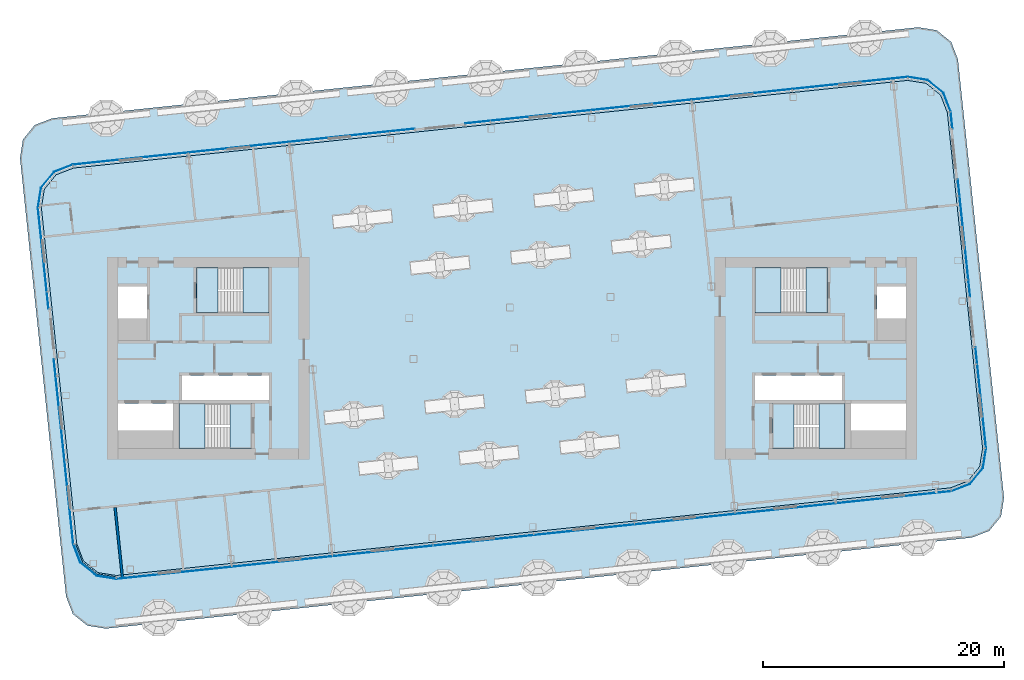
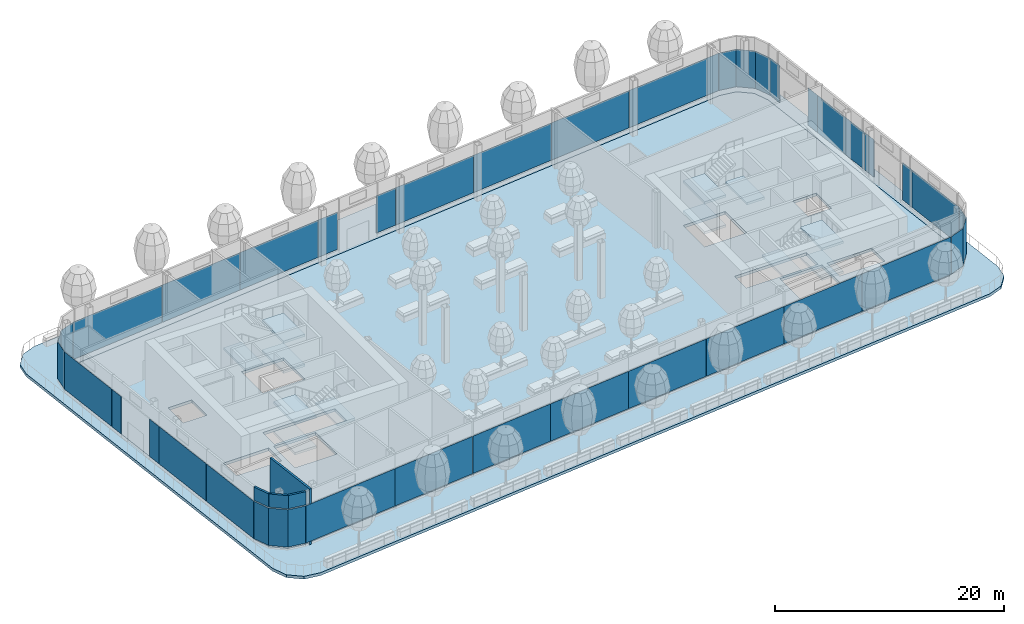
# One storey, part 10 of 42: 32 plates, 14 slabs, 4 walls, 12 elements without a shape of their own.
"""IFC4 building model written with IfcOpenShell, lengths in metres."""

from ifc_helpers import new_model, si_unit, direction, frame, frame_2d, origin, origin_2d, place, context, subcontext, project, spatial, polyline, rectangle, outline, extrude, material, layer, layer_set, type_object, element, aggregate, save


model = new_model("IFC4")

# Units and contexts
model_context = context("Model", 3, precision=1e-05, world=origin(), true_north=direction((0.0, 1.0)))
body_context = subcontext(model_context, "Body", "Model", "MODEL_VIEW")
ifc_project = project(units=[si_unit("LENGTHUNIT", "METRE"), si_unit("AREAUNIT", "SQUARE_METRE"), si_unit("VOLUMEUNIT", "CUBIC_METRE"), si_unit("PLANEANGLEUNIT", "RADIAN"), si_unit("MASSUNIT", "GRAM", prefix="KILO")], contexts=[model_context])

# Site, building, storey
site_placement = place(None, origin())
site = spatial("IfcSite", under=ifc_project, at=site_placement, CompositionType="ELEMENT")
building_placement = place(site_placement, origin())
building = spatial("IfcBuilding", under=site, at=building_placement, Name="Hakoniwa Tower and Hamabe Station Hall", CompositionType="ELEMENT")
storey_placement = place(building_placement, frame((0.0, 0.0, 232.60009765625)))
storey = spatial("IfcBuildingStorey", under=building, at=storey_placement, Name="L66", CompositionType="ELEMENT", Elevation=232.60009765625)

# Stair, slabs
ifc_material_1 = material(Name="Concrete C40", Category="concrete")
stair_type = type_object("IfcStairType", Name="ESCAPE STAIR 1800", PredefinedType="HALF_TURN_STAIR", material=ifc_material_1)
stair_1_placement = place(storey_placement, origin())
stair_1 = element("IfcStair", 1, at=stair_1_placement, inside=storey, type_object=stair_type, Name="Escape stair ST-1 L66", PredefinedType="HALF_TURN_STAIR")
ifc_material_2 = material(Name="Concrete C40", Category="concrete")
ifc_layer_1 = layer(ifc_material_2, 0.25)
ifc_layer_set_1 = layer_set([ifc_layer_1], Name="CORE STAIR LANDING 250")
slab_type_1 = type_object("IfcSlabType", Name="CORE STAIR LANDING 250", PredefinedType="LANDING", material=ifc_layer_set_1)
slab_1_placement = place(storey_placement, frame((0.0, 0.0, 1.349853515625)))
slab_1 = element("IfcSlab", 2, at=slab_1_placement, type_object=slab_type_1, Name="ST-1 landing 1", PredefinedType="LANDING", context=body_context, shape_type="SweptSolid", body=[
    extrude(outline(polyline([(-22.320068359375, 3.75), (-20.14990234375, 3.75), (-20.14990234375, 7.5), (-22.320068359375, 7.5), (-22.320068359375, 3.75)])), origin(), (0.0, 0.0, 1.0), 0.25),
])
slab_2_placement = place(storey_placement, frame((0.0, 0.0, 2.949951171875)))
slab_2 = element("IfcSlab", 3, at=slab_2_placement, type_object=slab_type_1, Name="ST-1 landing 2", PredefinedType="LANDING", context=body_context, shape_type="SweptSolid", body=[
    extrude(outline(polyline([(-26.199951171875, 3.75), (-24.39990234375, 3.75), (-24.39990234375, 7.5), (-26.199951171875, 7.5), (-26.199951171875, 3.75)])), origin(), (0.0, 0.0, 1.0), 0.25),
])
slab_3_placement = place(storey_placement, frame((0.0, 0.0, 4.5498046875)))
slab_3 = element("IfcSlab", 4, at=slab_3_placement, type_object=slab_type_1, Name="ST-1 landing 3", PredefinedType="LANDING", context=body_context, shape_type="SweptSolid", body=[
    extrude(outline(polyline([(-22.320068359375, 3.75), (-20.14990234375, 3.75), (-20.14990234375, 7.5), (-22.320068359375, 7.5), (-22.320068359375, 3.75)])), origin(), (0.0, 0.0, 1.0), 0.25),
])
aggregate(stair_1, [slab_1, slab_2, slab_3])

stair_2_placement = place(storey_placement, origin())
stair_2 = element("IfcStair", 5, at=stair_2_placement, inside=storey, type_object=stair_type, Name="Escape stair ST-2 L66", PredefinedType="HALF_TURN_STAIR")
slab_4_placement = place(storey_placement, frame((0.0, 0.0, 1.349853515625)))
slab_4 = element("IfcSlab", 6, at=slab_4_placement, type_object=slab_type_1, Name="ST-2 landing 1", PredefinedType="LANDING", context=body_context, shape_type="SweptSolid", body=[
    extrude(outline(polyline([(-25.47998046875, -7.5), (-27.64990234375, -7.5), (-27.64990234375, -3.75), (-25.47998046875, -3.75), (-25.47998046875, -7.5)])), origin(), (0.0, 0.0, 1.0), 0.25),
])
slab_5_placement = place(storey_placement, frame((0.0, 0.0, 2.949951171875)))
slab_5 = element("IfcSlab", 7, at=slab_5_placement, type_object=slab_type_1, Name="ST-2 landing 2", PredefinedType="LANDING", context=body_context, shape_type="SweptSolid", body=[
    extrude(outline(polyline([(-21.60009765625, -7.5), (-23.39990234375, -7.5), (-23.39990234375, -3.75), (-21.60009765625, -3.75), (-21.60009765625, -7.5)])), origin(), (0.0, 0.0, 1.0), 0.25),
])
slab_6_placement = place(storey_placement, frame((0.0, 0.0, 4.5498046875)))
slab_6 = element("IfcSlab", 8, at=slab_6_placement, type_object=slab_type_1, Name="ST-2 landing 3", PredefinedType="LANDING", context=body_context, shape_type="SweptSolid", body=[
    extrude(outline(polyline([(-25.47998046875, -7.5), (-27.64990234375, -7.5), (-27.64990234375, -3.75), (-25.47998046875, -3.75), (-25.47998046875, -7.5)])), origin(), (0.0, 0.0, 1.0), 0.25),
])
aggregate(stair_2, [slab_4, slab_5, slab_6])

stair_3_placement = place(storey_placement, origin())
stair_3 = element("IfcStair", 9, at=stair_3_placement, inside=storey, type_object=stair_type, Name="Escape stair ST-3 L66", PredefinedType="HALF_TURN_STAIR")
slab_7_placement = place(storey_placement, frame((0.0, 0.0, 1.349853515625)))
slab_7 = element("IfcSlab", 10, at=slab_7_placement, type_object=slab_type_1, Name="ST-3 landing 1", PredefinedType="LANDING", context=body_context, shape_type="SweptSolid", body=[
    extrude(outline(polyline([(22.320068359375, 3.75), (20.14990234375, 3.75), (20.14990234375, 7.5), (22.320068359375, 7.5), (22.320068359375, 3.75)])), origin(), (0.0, 0.0, 1.0), 0.25),
])
slab_8_placement = place(storey_placement, frame((0.0, 0.0, 2.949951171875)))
slab_8 = element("IfcSlab", 11, at=slab_8_placement, type_object=slab_type_1, Name="ST-3 landing 2", PredefinedType="LANDING", context=body_context, shape_type="SweptSolid", body=[
    extrude(outline(polyline([(26.199951171875, 3.75), (24.39990234375, 3.75), (24.39990234375, 7.5), (26.199951171875, 7.5), (26.199951171875, 3.75)])), origin(), (0.0, 0.0, 1.0), 0.25),
])
slab_9_placement = place(storey_placement, frame((0.0, 0.0, 4.5498046875)))
slab_9 = element("IfcSlab", 12, at=slab_9_placement, type_object=slab_type_1, Name="ST-3 landing 3", PredefinedType="LANDING", context=body_context, shape_type="SweptSolid", body=[
    extrude(outline(polyline([(22.320068359375, 3.75), (20.14990234375, 3.75), (20.14990234375, 7.5), (22.320068359375, 7.5), (22.320068359375, 3.75)])), origin(), (0.0, 0.0, 1.0), 0.25),
])
aggregate(stair_3, [slab_7, slab_8, slab_9])

stair_4_placement = place(storey_placement, origin())
stair_4 = element("IfcStair", 13, at=stair_4_placement, inside=storey, type_object=stair_type, Name="Escape stair ST-4 L66", PredefinedType="HALF_TURN_STAIR")
slab_10_placement = place(storey_placement, frame((0.0, 0.0, 1.349853515625)))
slab_10 = element("IfcSlab", 14, at=slab_10_placement, type_object=slab_type_1, Name="ST-4 landing 1", PredefinedType="LANDING", context=body_context, shape_type="SweptSolid", body=[
    extrude(outline(polyline([(25.47998046875, -7.5), (27.64990234375, -7.5), (27.64990234375, -3.75), (25.47998046875, -3.75), (25.47998046875, -7.5)])), origin(), (0.0, 0.0, 1.0), 0.25),
])
slab_11_placement = place(storey_placement, frame((0.0, 0.0, 2.949951171875)))
slab_11 = element("IfcSlab", 15, at=slab_11_placement, type_object=slab_type_1, Name="ST-4 landing 2", PredefinedType="LANDING", context=body_context, shape_type="SweptSolid", body=[
    extrude(outline(polyline([(21.60009765625, -7.5), (23.39990234375, -7.5), (23.39990234375, -3.75), (21.60009765625, -3.75), (21.60009765625, -7.5)])), origin(), (0.0, 0.0, 1.0), 0.25),
])
slab_12_placement = place(storey_placement, frame((0.0, 0.0, 4.5498046875)))
slab_12 = element("IfcSlab", 16, at=slab_12_placement, type_object=slab_type_1, Name="ST-4 landing 3", PredefinedType="LANDING", context=body_context, shape_type="SweptSolid", body=[
    extrude(outline(polyline([(25.47998046875, -7.5), (27.64990234375, -7.5), (27.64990234375, -3.75), (25.47998046875, -3.75), (25.47998046875, -7.5)])), origin(), (0.0, 0.0, 1.0), 0.25),
])
aggregate(stair_4, [slab_10, slab_11, slab_12])

# Curtain wall, plates
ifc_material_3 = material(Name="Dark low-e laminated glass", Category="glass")
ifc_layer_2 = layer(ifc_material_3, 0.199951171875)
ifc_layer_set_2 = layer_set([ifc_layer_2], Name="CW-2 SKY GARDEN")
curtain_wall_type = type_object("IfcCurtainWallType", Name="CW-2 SKY GARDEN", PredefinedType="NOTDEFINED", material=ifc_layer_set_2)
curtain_wall_1_placement = place(storey_placement, origin())
curtain_wall_1 = element("IfcCurtainWall", 17, at=curtain_wall_1_placement, inside=storey, type_object=curtain_wall_type, Name="CW-2 curtain wall", PredefinedType="NOTDEFINED")
ifc_material_4 = material(Name="Dark low-e laminated glass", Category="glass")
ifc_layer_3 = layer(ifc_material_4, 0.031982421875)
ifc_layer_set_3 = layer_set([ifc_layer_3], Name="CW-2 GARDEN GLASS UNIT")
plate_type = type_object("IfcPlateType", Name="CW-2 GARDEN GLASS UNIT", PredefinedType="CURTAIN_PANEL", material=ifc_layer_set_3)
plate_1_placement = place(storey_placement, frame((38.97802734375, -3.990966796875, 0.349853515625), z_axis=(0.0, 0.0, 1.0), x_axis=(-0.104528468631, 0.994521894805, 0.0)))
plate_1 = element("IfcPlate", 18, at=plate_1_placement, type_object=plate_type, Name="CW-2 glass unit", PredefinedType="CURTAIN_PANEL", context=body_context, shape_type="SweptSolid", body=[
    extrude(rectangle(XDim=6.999755859375, YDim=0.031982421875, at=origin_2d()), origin(), (0.0, 0.0, 1.0), 3.97998046875),
])
plate_2_placement = place(storey_placement, frame((38.537353515625, 0.200927734375, 0.349853515625), z_axis=(0.0, 0.0, 1.0), x_axis=(-0.104528468631, 0.994521894805, 0.0)))
plate_2 = element("IfcPlate", 19, at=plate_2_placement, type_object=plate_type, Name="CW-2 glass unit", PredefinedType="CURTAIN_PANEL", context=body_context, shape_type="SweptSolid", body=[
    extrude(rectangle(XDim=1.389892578125, YDim=0.031982421875, at=origin_2d()), origin(), (0.0, 0.0, 1.0), 3.97998046875),
])
plate_3_placement = place(storey_placement, frame((37.950927734375, 5.780029296875, 0.349853515625), z_axis=(0.0, 0.0, 1.0), x_axis=(-0.104528468631, 0.994521894805, 0.0)))
plate_3 = element("IfcPlate", 20, at=plate_3_placement, type_object=plate_type, Name="CW-2 glass unit", PredefinedType="CURTAIN_PANEL", context=body_context, shape_type="SweptSolid", body=[
    extrude(rectangle(XDim=1.389892578125, YDim=0.031982421875, at=origin_2d()), origin(), (0.0, 0.0, 1.0), 3.97998046875),
])
plate_4_placement = place(storey_placement, frame((37.510498046875, 9.9716796875, 0.349853515625), z_axis=(0.0, 0.0, 1.0), x_axis=(-0.104528468631, 0.994521894805, 0.0)))
plate_4 = element("IfcPlate", 21, at=plate_4_placement, type_object=plate_type, Name="CW-2 glass unit", PredefinedType="CURTAIN_PANEL", context=body_context, shape_type="SweptSolid", body=[
    extrude(rectangle(XDim=6.999755859375, YDim=0.031982421875, at=origin_2d()), origin(), (0.0, 0.0, 1.0), 3.97998046875),
])
plate_5_placement = place(storey_placement, frame((37.06982421875, 14.163330078125, 0.349853515625), z_axis=(0.0, 0.0, 1.0), x_axis=(-0.104528468631, 0.994521894805, 0.0)))
plate_5 = element("IfcPlate", 22, at=plate_5_placement, type_object=plate_type, Name="CW-2 glass unit", PredefinedType="CURTAIN_PANEL", context=body_context, shape_type="SweptSolid", body=[
    extrude(rectangle(XDim=1.389892578125, YDim=0.031982421875, at=origin_2d()), origin(), (0.0, 0.0, 1.0), 3.97998046875),
])
plate_6_placement = place(storey_placement, frame((36.4833984375, 19.74267578125, 0.349853515625), z_axis=(0.0, 0.0, 1.0), x_axis=(-0.104528468631, 0.994521894805, 0.0)))
plate_6 = element("IfcPlate", 23, at=plate_6_placement, type_object=plate_type, Name="CW-2 glass unit", PredefinedType="CURTAIN_PANEL", context=body_context, shape_type="SweptSolid", body=[
    extrude(rectangle(XDim=1.389892578125, YDim=0.031982421875, at=origin_2d()), origin(), (0.0, 0.0, 1.0), 3.97998046875),
])
aggregate(curtain_wall_1, [plate_1, plate_2, plate_3, plate_4, plate_5, plate_6])

# Curtain wall, plate
curtain_wall_2_placement = place(storey_placement, origin())
curtain_wall_2 = element("IfcCurtainWall", 24, at=curtain_wall_2_placement, inside=storey, type_object=curtain_wall_type, Name="CW-2 curtain wall", PredefinedType="NOTDEFINED")
plate_7_placement = place(storey_placement, frame((0.0, 0.0, 0.349853515625)))
plate_7 = element("IfcPlate", 25, at=plate_7_placement, type_object=plate_type, Name="CW-2 curved corner unit", PredefinedType="CURTAIN_PANEL", context=body_context, shape_type="SweptSolid", body=[
    extrude(outline(polyline([(36.409423828125, 20.482421875), (35.82421875, 22.0068359375), (34.492431640625, 23.085205078125), (32.8798828125, 23.340576171875), (32.87548828125, 23.31298828125), (34.480712890625, 23.058837890625), (35.80078125, 21.98974609375), (36.38330078125, 20.472412109375), (36.409423828125, 20.482421875)])), origin(), (0.0, 0.0, 1.0), 3.97998046875),
])
aggregate(curtain_wall_2, [plate_7])

# Curtain wall, plates
curtain_wall_3_placement = place(storey_placement, origin())
curtain_wall_3 = element("IfcCurtainWall", 26, at=curtain_wall_3_placement, inside=storey, type_object=curtain_wall_type, Name="CW-2 curtain wall", PredefinedType="NOTDEFINED")
plate_8_placement = place(storey_placement, frame((28.04833984375, 22.829345703125, 0.349853515625), z_axis=(0.0, 0.0, 1.0), x_axis=(-0.994521895272, -0.104528464188, 0.0)))
plate_8 = element("IfcPlate", 27, at=plate_8_placement, type_object=plate_type, Name="CW-2 glass unit", PredefinedType="CURTAIN_PANEL", context=body_context, shape_type="SweptSolid", body=[
    extrude(rectangle(XDim=9.619384765625, YDim=0.031982421875, at=origin_2d()), origin(), (0.0, 0.0, 1.0), 3.97998046875),
])
plate_9_placement = place(storey_placement, frame((19.078125, 21.886474609375, 0.349853515625), z_axis=(0.0, 0.0, 1.0), x_axis=(-0.994521895272, -0.104528464188, 0.0)))
plate_9 = element("IfcPlate", 28, at=plate_9_placement, type_object=plate_type, Name="CW-2 glass unit", PredefinedType="CURTAIN_PANEL", context=body_context, shape_type="SweptSolid", body=[
    extrude(rectangle(XDim=8.3798828125, YDim=0.031982421875, at=origin_2d()), origin(), (0.0, 0.0, 1.0), 3.97998046875),
])
plate_10_placement = place(storey_placement, frame((10.72412109375, 21.00830078125, 0.349853515625), z_axis=(0.0, 0.0, 1.0), x_axis=(-0.994521895272, -0.104528464188, 0.0)))
plate_10 = element("IfcPlate", 29, at=plate_10_placement, type_object=plate_type, Name="CW-2 glass unit", PredefinedType="CURTAIN_PANEL", context=body_context, shape_type="SweptSolid", body=[
    extrude(rectangle(XDim=8.3798828125, YDim=0.031982421875, at=origin_2d()), origin(), (0.0, 0.0, 1.0), 3.97998046875),
])
plate_11_placement = place(storey_placement, frame((2.3701171875, 20.13037109375, 0.349853515625), z_axis=(0.0, 0.0, 1.0), x_axis=(-0.994521895272, -0.104528464188, 0.0)))
plate_11 = element("IfcPlate", 30, at=plate_11_placement, type_object=plate_type, Name="CW-2 glass unit", PredefinedType="CURTAIN_PANEL", context=body_context, shape_type="SweptSolid", body=[
    extrude(rectangle(XDim=8.3798828125, YDim=0.031982421875, at=origin_2d()), origin(), (0.0, 0.0, 1.0), 3.97998046875),
])
plate_12_placement = place(storey_placement, frame((-2.85107421875, 19.58154296875, 0.349853515625), z_axis=(0.0, 0.0, 1.0), x_axis=(-0.994521895272, -0.104528464188, 0.0)))
plate_12 = element("IfcPlate", 31, at=plate_12_placement, type_object=plate_type, Name="CW-2 glass unit", PredefinedType="CURTAIN_PANEL", context=body_context, shape_type="SweptSolid", body=[
    extrude(rectangle(XDim=2.080078125, YDim=0.031982421875, at=origin_2d()), origin(), (0.0, 0.0, 1.0), 3.97998046875),
])
plate_13_placement = place(storey_placement, frame((-9.11669921875, 18.923095703125, 0.349853515625), z_axis=(0.0, 0.0, 1.0), x_axis=(-0.994521895272, -0.104528464188, 0.0)))
plate_13 = element("IfcPlate", 32, at=plate_13_placement, type_object=plate_type, Name="CW-2 glass unit", PredefinedType="CURTAIN_PANEL", context=body_context, shape_type="SweptSolid", body=[
    extrude(rectangle(XDim=2.080078125, YDim=0.031982421875, at=origin_2d()), origin(), (0.0, 0.0, 1.0), 3.97998046875),
])
plate_14_placement = place(storey_placement, frame((-14.337890625, 18.374267578125, 0.349853515625), z_axis=(0.0, 0.0, 1.0), x_axis=(-0.994521895272, -0.104528464188, 0.0)))
plate_14 = element("IfcPlate", 33, at=plate_14_placement, type_object=plate_type, Name="CW-2 glass unit", PredefinedType="CURTAIN_PANEL", context=body_context, shape_type="SweptSolid", body=[
    extrude(rectangle(XDim=8.3798828125, YDim=0.031982421875, at=origin_2d()), origin(), (0.0, 0.0, 1.0), 3.97998046875),
])
plate_15_placement = place(storey_placement, frame((-22.69189453125, 17.49609375, 0.349853515625), z_axis=(0.0, 0.0, 1.0), x_axis=(-0.994521895272, -0.104528464188, 0.0)))
plate_15 = element("IfcPlate", 34, at=plate_15_placement, type_object=plate_type, Name="CW-2 glass unit", PredefinedType="CURTAIN_PANEL", context=body_context, shape_type="SweptSolid", body=[
    extrude(rectangle(XDim=8.3798828125, YDim=0.031982421875, at=origin_2d()), origin(), (0.0, 0.0, 1.0), 3.97998046875),
])
plate_16_placement = place(storey_placement, frame((-31.662109375, 16.553466796875, 0.349853515625), z_axis=(0.0, 0.0, 1.0), x_axis=(-0.994521895272, -0.104528464188, 0.0)))
plate_16 = element("IfcPlate", 35, at=plate_16_placement, type_object=plate_type, Name="CW-2 glass unit", PredefinedType="CURTAIN_PANEL", context=body_context, shape_type="SweptSolid", body=[
    extrude(rectangle(XDim=9.619384765625, YDim=0.031982421875, at=origin_2d()), origin(), (0.0, 0.0, 1.0), 3.97998046875),
])
aggregate(curtain_wall_3, [plate_8, plate_9, plate_10, plate_11, plate_12, plate_13, plate_14, plate_15, plate_16])

# Curtain wall, plate
curtain_wall_4_placement = place(storey_placement, origin())
curtain_wall_4 = element("IfcCurtainWall", 36, at=curtain_wall_4_placement, inside=storey, type_object=curtain_wall_type, Name="CW-2 curtain wall", PredefinedType="NOTDEFINED")
plate_17_placement = place(storey_placement, frame((0.0, 0.0, 0.349853515625)))
plate_17 = element("IfcPlate", 37, at=plate_17_placement, type_object=plate_type, Name="CW-2 curved corner unit", PredefinedType="CURTAIN_PANEL", context=body_context, shape_type="SweptSolid", body=[
    extrude(outline(polyline([(-36.494384765625, 16.049072265625), (-38.0185546875, 15.464111328125), (-39.09716796875, 14.13232421875), (-39.3525390625, 12.51953125), (-39.324951171875, 12.51513671875), (-39.070556640625, 14.120361328125), (-38.001708984375, 15.440673828125), (-36.484375, 16.02294921875), (-36.494384765625, 16.049072265625)])), origin(), (0.0, 0.0, 1.0), 3.97998046875),
])
aggregate(curtain_wall_4, [plate_17])

# Curtain wall, plates
curtain_wall_5_placement = place(storey_placement, origin())
curtain_wall_5 = element("IfcCurtainWall", 38, at=curtain_wall_5_placement, inside=storey, type_object=curtain_wall_type, Name="CW-2 curtain wall", PredefinedType="NOTDEFINED")
plate_18_placement = place(storey_placement, frame((-38.97802734375, 8.990966796875, 0.349853515625), z_axis=(0.0, 0.0, 1.0), x_axis=(0.104528468631, -0.994521894805, 0.0)))
plate_18 = element("IfcPlate", 39, at=plate_18_placement, type_object=plate_type, Name="CW-2 glass unit", PredefinedType="CURTAIN_PANEL", context=body_context, shape_type="SweptSolid", body=[
    extrude(rectangle(XDim=6.999755859375, YDim=0.031982421875, at=origin_2d()), origin(), (0.0, 0.0, 1.0), 3.97998046875),
])
plate_19_placement = place(storey_placement, frame((-38.537353515625, 4.799072265625, 0.349853515625), z_axis=(0.0, 0.0, 1.0), x_axis=(0.104528468631, -0.994521894805, 0.0)))
plate_19 = element("IfcPlate", 40, at=plate_19_placement, type_object=plate_type, Name="CW-2 glass unit", PredefinedType="CURTAIN_PANEL", context=body_context, shape_type="SweptSolid", body=[
    extrude(rectangle(XDim=1.389892578125, YDim=0.031982421875, at=origin_2d()), origin(), (0.0, 0.0, 1.0), 3.97998046875),
])
plate_20_placement = place(storey_placement, frame((-37.950927734375, -0.780029296875, 0.349853515625), z_axis=(0.0, 0.0, 1.0), x_axis=(0.104528468631, -0.994521894805, 0.0)))
plate_20 = element("IfcPlate", 41, at=plate_20_placement, type_object=plate_type, Name="CW-2 glass unit", PredefinedType="CURTAIN_PANEL", context=body_context, shape_type="SweptSolid", body=[
    extrude(rectangle(XDim=1.389892578125, YDim=0.031982421875, at=origin_2d()), origin(), (0.0, 0.0, 1.0), 3.97998046875),
])
plate_21_placement = place(storey_placement, frame((-37.510498046875, -4.9716796875, 0.349853515625), z_axis=(0.0, 0.0, 1.0), x_axis=(0.104528468631, -0.994521894805, 0.0)))
plate_21 = element("IfcPlate", 42, at=plate_21_placement, type_object=plate_type, Name="CW-2 glass unit", PredefinedType="CURTAIN_PANEL", context=body_context, shape_type="SweptSolid", body=[
    extrude(rectangle(XDim=6.999755859375, YDim=0.031982421875, at=origin_2d()), origin(), (0.0, 0.0, 1.0), 3.97998046875),
])
plate_22_placement = place(storey_placement, frame((-36.776611328125, -11.953125, 0.349853515625), z_axis=(0.0, 0.0, 1.0), x_axis=(0.104528468631, -0.994521894805, 0.0)))
plate_22 = element("IfcPlate", 43, at=plate_22_placement, type_object=plate_type, Name="CW-2 glass unit", PredefinedType="CURTAIN_PANEL", context=body_context, shape_type="SweptSolid", body=[
    extrude(rectangle(XDim=6.999755859375, YDim=0.031982421875, at=origin_2d()), origin(), (0.0, 0.0, 1.0), 3.97998046875),
])
aggregate(curtain_wall_5, [plate_18, plate_19, plate_20, plate_21, plate_22])

# Curtain wall, plate
curtain_wall_6_placement = place(storey_placement, origin())
curtain_wall_6 = element("IfcCurtainWall", 44, at=curtain_wall_6_placement, inside=storey, type_object=curtain_wall_type, Name="CW-2 curtain wall", PredefinedType="NOTDEFINED")
plate_23_placement = place(storey_placement, frame((0.0, 0.0, 0.349853515625)))
plate_23 = element("IfcPlate", 45, at=plate_23_placement, type_object=plate_type, Name="CW-2 curved corner unit", PredefinedType="CURTAIN_PANEL", context=body_context, shape_type="SweptSolid", body=[
    extrude(outline(polyline([(-36.409423828125, -15.482421875), (-35.82421875, -17.0068359375), (-34.492431640625, -18.085205078125), (-32.8798828125, -18.340576171875), (-32.87548828125, -18.31298828125), (-34.480712890625, -18.058837890625), (-35.80078125, -16.98974609375), (-36.38330078125, -15.472412109375), (-36.409423828125, -15.482421875)])), origin(), (0.0, 0.0, 1.0), 3.97998046875),
])

# Curtain wall, plates
curtain_wall_7_placement = place(storey_placement, origin())
curtain_wall_7 = element("IfcCurtainWall", 46, at=curtain_wall_7_placement, inside=storey, type_object=curtain_wall_type, Name="CW-2 curtain wall", PredefinedType="NOTDEFINED")
plate_24_placement = place(storey_placement, frame((-28.04833984375, -17.829345703125, 0.349853515625), z_axis=(0.0, 0.0, 1.0), x_axis=(0.994521895272, 0.104528464188, 0.0)))
plate_24 = element("IfcPlate", 47, at=plate_24_placement, type_object=plate_type, Name="CW-2 glass unit", PredefinedType="CURTAIN_PANEL", context=body_context, shape_type="SweptSolid", body=[
    extrude(rectangle(XDim=9.619384765625, YDim=0.031982421875, at=origin_2d()), origin(), (0.0, 0.0, 1.0), 3.97998046875),
])
plate_25_placement = place(storey_placement, frame((-19.078125, -16.886474609375, 0.349853515625), z_axis=(0.0, 0.0, 1.0), x_axis=(0.994521895272, 0.104528464188, 0.0)))
plate_25 = element("IfcPlate", 48, at=plate_25_placement, type_object=plate_type, Name="CW-2 glass unit", PredefinedType="CURTAIN_PANEL", context=body_context, shape_type="SweptSolid", body=[
    extrude(rectangle(XDim=8.3798828125, YDim=0.031982421875, at=origin_2d()), origin(), (0.0, 0.0, 1.0), 3.97998046875),
])
plate_26_placement = place(storey_placement, frame((-10.72412109375, -16.00830078125, 0.349853515625), z_axis=(0.0, 0.0, 1.0), x_axis=(0.994521895272, 0.104528464188, 0.0)))
plate_26 = element("IfcPlate", 49, at=plate_26_placement, type_object=plate_type, Name="CW-2 glass unit", PredefinedType="CURTAIN_PANEL", context=body_context, shape_type="SweptSolid", body=[
    extrude(rectangle(XDim=8.3798828125, YDim=0.031982421875, at=origin_2d()), origin(), (0.0, 0.0, 1.0), 3.97998046875),
])
plate_27_placement = place(storey_placement, frame((-2.3701171875, -15.13037109375, 0.349853515625), z_axis=(0.0, 0.0, 1.0), x_axis=(0.994521895272, 0.104528464188, 0.0)))
plate_27 = element("IfcPlate", 50, at=plate_27_placement, type_object=plate_type, Name="CW-2 glass unit", PredefinedType="CURTAIN_PANEL", context=body_context, shape_type="SweptSolid", body=[
    extrude(rectangle(XDim=8.3798828125, YDim=0.031982421875, at=origin_2d()), origin(), (0.0, 0.0, 1.0), 3.97998046875),
])
plate_28_placement = place(storey_placement, frame((5.98388671875, -14.252197265625, 0.349853515625), z_axis=(0.0, 0.0, 1.0), x_axis=(0.994521895272, 0.104528464188, 0.0)))
plate_28 = element("IfcPlate", 51, at=plate_28_placement, type_object=plate_type, Name="CW-2 glass unit", PredefinedType="CURTAIN_PANEL", context=body_context, shape_type="SweptSolid", body=[
    extrude(rectangle(XDim=8.3798828125, YDim=0.031982421875, at=origin_2d()), origin(), (0.0, 0.0, 1.0), 3.97998046875),
])
plate_29_placement = place(storey_placement, frame((14.337890625, -13.374267578125, 0.349853515625), z_axis=(0.0, 0.0, 1.0), x_axis=(0.994521895272, 0.104528464188, 0.0)))
plate_29 = element("IfcPlate", 52, at=plate_29_placement, type_object=plate_type, Name="CW-2 glass unit", PredefinedType="CURTAIN_PANEL", context=body_context, shape_type="SweptSolid", body=[
    extrude(rectangle(XDim=8.3798828125, YDim=0.031982421875, at=origin_2d()), origin(), (0.0, 0.0, 1.0), 3.97998046875),
])
plate_30_placement = place(storey_placement, frame((22.69189453125, -12.49609375, 0.349853515625), z_axis=(0.0, 0.0, 1.0), x_axis=(0.994521895272, 0.104528464188, 0.0)))
plate_30 = element("IfcPlate", 53, at=plate_30_placement, type_object=plate_type, Name="CW-2 glass unit", PredefinedType="CURTAIN_PANEL", context=body_context, shape_type="SweptSolid", body=[
    extrude(rectangle(XDim=8.3798828125, YDim=0.031982421875, at=origin_2d()), origin(), (0.0, 0.0, 1.0), 3.97998046875),
])
plate_31_placement = place(storey_placement, frame((31.662109375, -11.553466796875, 0.349853515625), z_axis=(0.0, 0.0, 1.0), x_axis=(0.994521895272, 0.104528464188, 0.0)))
plate_31 = element("IfcPlate", 54, at=plate_31_placement, type_object=plate_type, Name="CW-2 glass unit", PredefinedType="CURTAIN_PANEL", context=body_context, shape_type="SweptSolid", body=[
    extrude(rectangle(XDim=9.619384765625, YDim=0.031982421875, at=origin_2d()), origin(), (0.0, 0.0, 1.0), 3.97998046875),
])
aggregate(curtain_wall_7, [plate_24, plate_25, plate_26, plate_27, plate_28, plate_29, plate_30, plate_31])

# Curtain wall, plate
curtain_wall_8_placement = place(storey_placement, origin())
curtain_wall_8 = element("IfcCurtainWall", 55, at=curtain_wall_8_placement, inside=storey, type_object=curtain_wall_type, Name="CW-2 curtain wall", PredefinedType="NOTDEFINED")
plate_32_placement = place(storey_placement, frame((0.0, 0.0, 0.349853515625)))
plate_32 = element("IfcPlate", 56, at=plate_32_placement, type_object=plate_type, Name="CW-2 curved corner unit", PredefinedType="CURTAIN_PANEL", context=body_context, shape_type="SweptSolid", body=[
    extrude(outline(polyline([(36.494384765625, -11.049072265625), (38.0185546875, -10.464111328125), (39.09716796875, -9.13232421875), (39.3525390625, -7.51953125), (39.324951171875, -7.51513671875), (39.070556640625, -9.120361328125), (38.001708984375, -10.440673828125), (36.484375, -11.02294921875), (36.494384765625, -11.049072265625)])), origin(), (0.0, 0.0, 1.0), 3.97998046875),
])
aggregate(curtain_wall_8, [plate_32])

# Slabs
ifc_material_5 = material(Name="Concrete C40", Category="concrete")
ifc_layer_4 = layer(ifc_material_5, 0.300048828125)
ifc_layer_set_4 = layer_set([ifc_layer_4], Name="GARDEN FLOOR SLAB 300")
slab_type_2 = type_object("IfcSlabType", Name="GARDEN FLOOR SLAB 300", PredefinedType="FLOOR", material=ifc_layer_set_4)
slab_13_placement = place(storey_placement, frame((0.0, 0.0, -0.300048828125)))
element("IfcSlab", 57, at=slab_13_placement, inside=storey, type_object=slab_type_2, Name="Floor slab L66", PredefinedType="FLOOR", context=body_context, shape_type="SweptSolid", body=[
    extrude(outline(polyline([(39.056396484375, -7.47216796875), (36.12939453125, 20.37451171875), (35.572998046875, 21.82421875), (34.3662109375, 22.801513671875), (32.83251953125, 23.04443359375), (-36.38623046875, 15.769287109375), (-37.836181640625, 15.212890625), (-38.8134765625, 14.005859375), (-39.056396484375, 12.47216796875), (-36.12939453125, -15.37451171875), (-35.572998046875, -16.82421875), (-34.3662109375, -17.801513671875), (-32.83251953125, -18.04443359375), (36.38623046875, -10.769287109375), (37.836181640625, -10.212890625), (38.8134765625, -9.005859375), (39.056396484375, -7.47216796875)]), holes=[polyline([(-27.39990234375, -3.5), (-27.39990234375, -1.449951171875), (-20.14990234375, -1.449951171875), (-20.14990234375, -3.5), (-27.39990234375, -3.5)]), polyline([(-32.699951171875, 3.300048828125), (-32.699951171875, 5.949951171875), (-30.300048828125, 5.949951171875), (-30.300048828125, 3.300048828125), (-32.699951171875, 3.300048828125)]), polyline([(-32.699951171875, -6.0), (-32.699951171875, -3.75), (-28.14990234375, -3.75), (-28.14990234375, -6.0), (-32.699951171875, -6.0)]), polyline([(-24.389892578125, 3.75), (-24.389892578125, 7.5), (-20.14990234375, 7.5), (-20.14990234375, 3.75), (-24.389892578125, 3.75)]), polyline([(-27.64990234375, -7.5), (-27.64990234375, -3.75), (-23.409912109375, -3.75), (-23.409912109375, -7.5), (-27.64990234375, -7.5)]), polyline([(20.14990234375, -3.5), (20.14990234375, -1.449951171875), (27.39990234375, -1.449951171875), (27.39990234375, -3.5), (20.14990234375, -3.5)]), polyline([(30.300048828125, 3.300048828125), (30.300048828125, 5.949951171875), (32.699951171875, 5.949951171875), (32.699951171875, 3.300048828125), (30.300048828125, 3.300048828125)]), polyline([(28.14990234375, -6.0), (28.14990234375, -3.75), (32.699951171875, -3.75), (32.699951171875, -6.0), (28.14990234375, -6.0)]), polyline([(20.14990234375, 3.75), (20.14990234375, 7.5), (24.389892578125, 7.5), (24.389892578125, 3.75), (20.14990234375, 3.75)]), polyline([(23.409912109375, -7.5), (23.409912109375, -3.75), (27.64990234375, -3.75), (27.64990234375, -7.5), (23.409912109375, -7.5)])]), origin(), (0.0, 0.0, 1.0), 0.300048828125),
])
ifc_material_6 = material(Name="Concrete C40", Category="concrete")
ifc_layer_5 = layer(ifc_material_6, 0.300048828125)
ifc_layer_set_5 = layer_set([ifc_layer_5], Name="TERRACE SLAB 300")
slab_type_3 = type_object("IfcSlabType", Name="TERRACE SLAB 300", PredefinedType="FLOOR", material=ifc_layer_set_5)
slab_14_placement = place(storey_placement, frame((0.0, 0.0, -0.300048828125)))
element("IfcSlab", 58, at=slab_14_placement, inside=storey, type_object=slab_type_3, Name="Terrace slab L66-1", PredefinedType="FLOOR", context=body_context, shape_type="SweptSolid", body=[
    extrude(outline(polyline([(40.59033203125, -13.13330078125), (40.833251953125, -11.599365234375), (37.009521484375, 24.781005859375), (36.45263671875, 26.231201171875), (35.24560546875, 27.208740234375), (33.711181640625, 27.451904296875), (-38.162353515625, 19.897705078125), (-39.612548828125, 19.3408203125), (-40.590087890625, 18.133544921875), (-40.833251953125, 16.599365234375), (-37.009521484375, -19.781005859375), (-36.45263671875, -21.231201171875), (-35.24560546875, -22.208740234375), (-33.711181640625, -22.451904296875), (38.162353515625, -14.897705078125), (39.612548828125, -14.3408203125), (40.59033203125, -13.13330078125)]), holes=[polyline([(-38.8134765625, 14.005859375), (-37.836181640625, 15.212890625), (-36.38623046875, 15.769287109375), (32.83251953125, 23.04443359375), (34.3662109375, 22.801513671875), (35.572998046875, 21.82421875), (36.12939453125, 20.37451171875), (39.056396484375, -7.47216796875), (38.8134765625, -9.005859375), (37.836181640625, -10.212890625), (36.38623046875, -10.769287109375), (-32.83251953125, -18.04443359375), (-34.3662109375, -17.801513671875), (-35.572998046875, -16.82421875), (-36.12939453125, -15.37451171875), (-39.056396484375, 12.47216796875), (-38.8134765625, 14.005859375)])]), origin(), (0.0, 0.0, 1.0), 0.300048828125),
])

# Wall
ifc_material_7 = material(Name="Fire-rated gypsum board partition", Category="gypsum")
ifc_layer_6 = layer(ifc_material_7, 0.199951171875)
ifc_layer_set_6 = layer_set([ifc_layer_6], Name="Party Wall 200")
wall_type_1 = type_object("IfcWallType", Name="Party Wall 200", PredefinedType="PARTITIONING", material=ifc_layer_set_6)
wall_1_placement = place(storey_placement, frame((-32.32373046875, -18.292724609375, 0.0), z_axis=(0.0, 0.0, 1.0), x_axis=(-0.104532260673, 0.994521496238, 0.0)))
element("IfcWall", 59, at=wall_1_placement, inside=storey, type_object=wall_type_1, Name="GW-L66-008", PredefinedType="PARTITIONING", context=body_context, shape_type="SweptSolid", body=[
    extrude(rectangle(XDim=5.916015625, YDim=0.199951171875, at=frame_2d((2.9580078125, 0.0))), origin(), (0.0, 0.0, 1.0), 5.949951171875),
])

ifc_material_8 = material(Name="Dark glass-faced aluminium panel", Category="aluminium")
ifc_layer_7 = layer(ifc_material_8, 0.199951171875)
ifc_layer_set_7 = layer_set([ifc_layer_7], Name="VENT BAND WALL")
wall_type_2 = type_object("IfcWallType", Name="VENT BAND WALL", PredefinedType="NOTDEFINED", material=ifc_layer_set_7)
wall_2_placement = place(storey_placement, frame((-36.319580078125, -15.437255859375, 4.449951171875), z_axis=(0.0, 0.0, 1.0), x_axis=(0.358311750357, -0.933601997404, 0.0)))
wall_2 = element("IfcWall", 60, at=wall_2_placement, type_object=wall_type_2, Name="Vent band wall", PredefinedType="NOTDEFINED", context=body_context, shape_type="SweptSolid", body=[
    extrude(rectangle(XDim=1.642822265625, YDim=0.199951171875, at=frame_2d((0.8212890625, 0.0))), origin(), (0.0, 0.0, 1.0), 1.39990234375),
])

wall_3_placement = place(storey_placement, frame((-35.73095703125, -16.970947265625, 4.449951171875), z_axis=(0.0, 0.0, 1.0), x_axis=(0.777171874184, -0.62928839015, 0.0)))
wall_3 = element("IfcWall", 61, at=wall_3_placement, type_object=wall_type_2, Name="Vent band wall", PredefinedType="NOTDEFINED", context=body_context, shape_type="SweptSolid", body=[
    extrude(rectangle(XDim=1.713623046875, YDim=0.199951171875, at=frame_2d((0.85693359375, 0.0))), origin(), (0.0, 0.0, 1.0), 1.39990234375),
])

wall_4_placement = place(storey_placement, frame((-34.4296875, -18.007568359375, 4.449951171875), z_axis=(0.0, 0.0, 1.0), x_axis=(0.987683320771, -0.156466155675, 0.0)))
wall_4 = element("IfcWall", 62, at=wall_4_placement, type_object=wall_type_2, Name="Vent band wall", PredefinedType="NOTDEFINED", context=body_context, shape_type="SweptSolid", body=[
    extrude(rectangle(XDim=1.64306640625, YDim=0.199951171875, at=frame_2d((0.821533203125, 0.0))), origin(), (0.0, 0.0, 1.0), 1.39990234375),
])

aggregate(curtain_wall_6, [plate_23, wall_2, wall_3, wall_4])

save(model, "model.ifc")
